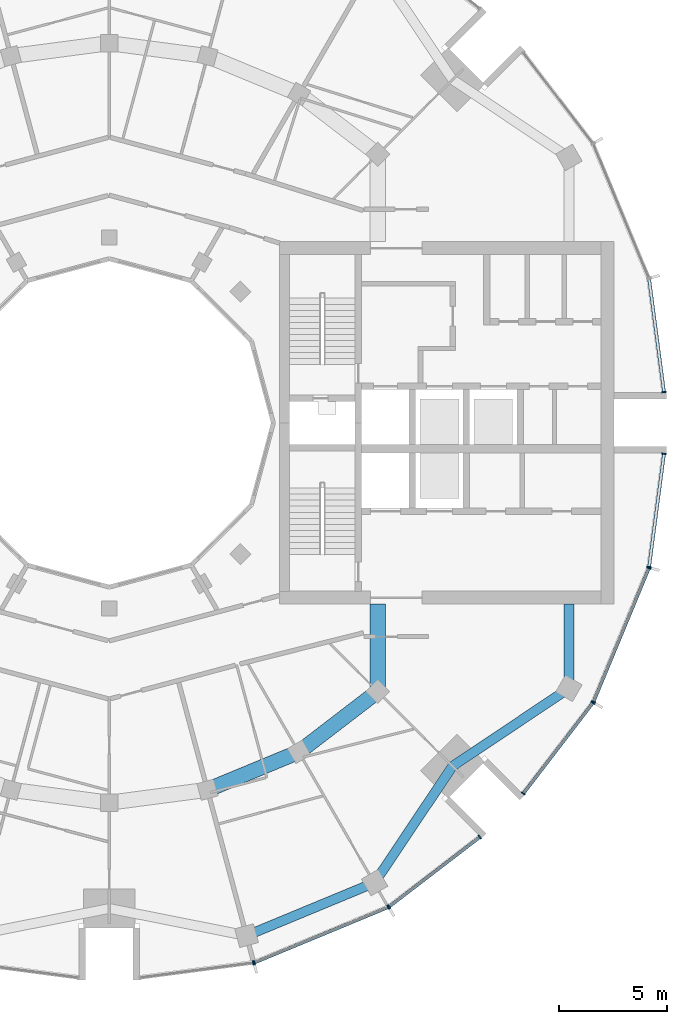
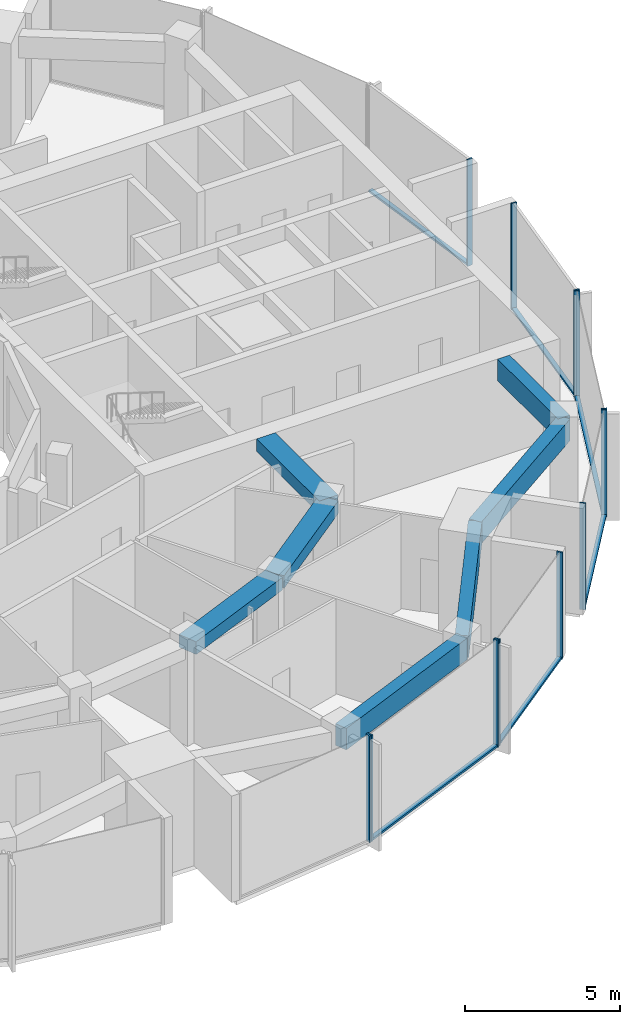
# One storey, part 4 of 15: 18 members, 7 beams, 7 elements without a shape of their own.
"""IFC4 building model written with IfcOpenShell, lengths in metres."""

import ifcopenshell
import ifcopenshell.guid

model = None  # the IFC model being written
_history = None  # IfcOwnerHistory: only IFC2X3 demands one
_inside = {}  # id of a spatial element -> (the spatial element, [elements in it])
_under = {}  # id of a project, library or spatial element -> (it, [spatial elements below it])
_declared = {}  # id of a project -> (the project, [libraries it declares])
_typed = {}  # id of a type object -> (the type object, [elements of that type])
_made_of = {}  # id of a material, layer set ... -> (it, [elements and type objects made of it])


def new_model(schema):
    """Start an empty IFC model of exactly this schema.

    Asked for "IFC4X3", IfcOpenShell would pick the latest addendum, in which some entities
    have other attributes; the version numbers below select the first issue.
    IFC2X3 requires an IfcOwnerHistory on every rooted entity: one is made here for all.
    """
    global model, _history
    if schema == "IFC4X3":
        model = ifcopenshell.file(schema_version=(4, 3, 0, 0))
    else:
        model = ifcopenshell.file(schema=schema)
    _inside.clear()
    _under.clear()
    _declared.clear()
    _typed.clear()
    _made_of.clear()
    _history = None
    if model.schema == "IFC2X3":
        org = make("IfcOrganization", Name="unknown")
        user = make(
            "IfcPersonAndOrganization",
            ThePerson=make("IfcPerson", FamilyName="unknown"),
            TheOrganization=org,
        )
        app = make(
            "IfcApplication",
            ApplicationDeveloper=org,
            Version="unknown",
            ApplicationFullName="unknown",
            ApplicationIdentifier="unknown",
        )
        _history = make(
            "IfcOwnerHistory",
            OwningUser=user,
            OwningApplication=app,
            ChangeAction="ADDED",
            CreationDate=0,
        )
    return model


def make(cls, **values):
    """One entity of the class cls with the attributes given. An attribute that is None is left unset."""
    return model.create_entity(
        cls, **{name: value for name, value in values.items() if value is not None}
    )


def rooted(cls, **values):
    """An entity with a GlobalId (a new one), such as an element, a storey or a relation."""
    return make(cls, GlobalId=ifcopenshell.guid.new(), OwnerHistory=_history, **values)


def si_unit(unit_type, name, prefix=None):
    """IfcSIUnit, for example si_unit("LENGTHUNIT", "METRE", prefix="MILLI")."""
    return make("IfcSIUnit", UnitType=unit_type, Prefix=prefix, Name=name)


def assignment(units):
    """IfcUnitAssignment: the units of a project."""
    return None if units is None else make("IfcUnitAssignment", Units=units)


def point(xyz):
    """IfcCartesianPoint."""
    return None if xyz is None else make("IfcCartesianPoint", Coordinates=xyz)


def direction(xyz):
    """IfcDirection."""
    return None if xyz is None else make("IfcDirection", DirectionRatios=xyz)


def frame(location, z_axis=None, x_axis=None):
    """IfcAxis2Placement3D, a coordinate frame: its origin and axes. An axis left out is left unset."""
    return make(
        "IfcAxis2Placement3D",
        Location=point(location),
        Axis=direction(z_axis),
        RefDirection=direction(x_axis),
    )


def frame_2d(location, x_axis=None):
    """IfcAxis2Placement2D, a coordinate frame in the plane: its origin and x axis."""
    return make(
        "IfcAxis2Placement2D", Location=point(location), RefDirection=direction(x_axis)
    )


def origin():
    """The frame at (0, 0, 0) with its axes left unset."""
    return frame((0.0, 0.0, 0.0))


def origin_2d():
    """The frame at (0, 0) in the plane with its x axis left unset."""
    return frame_2d((0.0, 0.0))


def place(relative_to, where):
    """IfcLocalPlacement: puts the frame where relative to a parent placement (None: the world)."""
    return make(
        "IfcLocalPlacement", PlacementRelTo=relative_to, RelativePlacement=where
    )


def context(
    kind, dimensions, precision=None, world=None, true_north=None, identifier=None
):
    """IfcGeometricRepresentationContext, for example the 3D "Model" context."""
    return make(
        "IfcGeometricRepresentationContext",
        ContextIdentifier=identifier,
        ContextType=kind,
        CoordinateSpaceDimension=dimensions,
        Precision=precision,
        WorldCoordinateSystem=world,
        TrueNorth=true_north,
    )


def subcontext(parent, identifier, kind, view, scale=None):
    """IfcGeometricRepresentationSubContext, for example "Body" below "Model"."""
    return make(
        "IfcGeometricRepresentationSubContext",
        ContextIdentifier=identifier,
        ContextType=kind,
        ParentContext=parent,
        TargetScale=scale,
        TargetView=view,
    )


def project(units=None, contexts=None):
    """IfcProject with its units and contexts."""
    return rooted(
        "IfcProject",
        Name="project",
        RepresentationContexts=contexts,
        UnitsInContext=assignment(units),
    )


def spatial(cls, under=None, at=None, **own):
    """A site, building, storey or space (cls), placed at a placement, below another one or the project."""
    s = rooted(cls, ObjectPlacement=at, **own)
    if under is not None:
        _under.setdefault(under.id(), (under, []))[1].append(s)
    return s


def profile(cls, at=None, kind="AREA", **sizes):
    """A parametric profile (cls). Its sizes go by their IFC names, for example OverallWidth=200.0."""
    return make(cls, ProfileType=kind, Position=at, **sizes)


def rectangle(**sizes):
    """IfcRectangleProfileDef."""
    return profile("IfcRectangleProfileDef", **sizes)


def extrude(swept, where, along, depth):
    """IfcExtrudedAreaSolid: the profile swept, set in the frame where, extruded along a direction by depth."""
    return make(
        "IfcExtrudedAreaSolid",
        SweptArea=swept,
        Position=where,
        ExtrudedDirection=direction(along),
        Depth=depth,
    )


def shape(context_of_items, identifier, shape_type, items):
    """IfcShapeRepresentation: the items that make up one representation, for example the "Body"."""
    return make(
        "IfcShapeRepresentation",
        ContextOfItems=context_of_items,
        RepresentationIdentifier=identifier,
        RepresentationType=shape_type,
        Items=items,
    )


def material(Name=None, Category=None):
    """IfcMaterial."""
    return make("IfcMaterial", Name=Name, Category=Category)


def layer(
    of_material, thickness, ventilated=None, Name=None, Category=None, Priority=None
):
    """IfcMaterialLayer: one layer of a wall or slab, of a material (None: an air gap)."""
    return make(
        "IfcMaterialLayer",
        Material=of_material,
        LayerThickness=thickness,
        IsVentilated=ventilated,
        Name=Name,
        Category=Category,
        Priority=Priority,
    )


def layer_set(layers, Name=None):
    """IfcMaterialLayerSet."""
    return make("IfcMaterialLayerSet", MaterialLayers=layers, LayerSetName=Name)


def material_profile(
    of_material, cross_section, Name=None, Category=None, Priority=None
):
    """IfcMaterialProfile: a cross section and its material."""
    return make(
        "IfcMaterialProfile",
        Name=Name,
        Material=of_material,
        Profile=cross_section,
        Priority=Priority,
        Category=Category,
    )


def profile_set(profiles, Name=None, composite=None):
    """IfcMaterialProfileSet."""
    return make(
        "IfcMaterialProfileSet",
        Name=Name,
        MaterialProfiles=profiles,
        CompositeProfile=composite,
    )


def made_of(thing, what):
    """Note that an element or type object is made of a material, layer set ...; save() writes the relation."""
    if what is not None:
        _made_of.setdefault(what.id(), (what, []))[1].append(thing)
    return thing


def type_object(cls, material=None, **own):
    """A type object (cls), such as IfcWallType, which elements share."""
    return made_of(rooted(cls, **own), material)


def element(
    cls,
    number,
    at=None,
    inside=None,
    cuts=None,
    type_object=None,
    material=None,
    context=None,
    identifier="Body",
    shape_type=None,
    held_by="IfcProductDefinitionShape",
    body=None,
    shapes=None,
    **own,
):
    """One element of the class cls, such as IfcWall. Its Tag is "e" and its number.

    at: its placement. inside: the storey or other place that contains it. cuts: it is an
    opening in that element (IfcRelVoidsElement). A single representation is given by context,
    identifier, shape_type and body (its items); several are given by shapes. held_by: the class
    of the entity that holds the representations. save() writes the other relations.
    """
    e = rooted(cls, Tag="e%d" % number, ObjectPlacement=at, **own)
    if body is not None:
        shapes = [shape(context, identifier, shape_type, body)]
    if shapes is not None:
        e.Representation = make(held_by, Representations=shapes)
    if inside is not None:
        _inside.setdefault(inside.id(), (inside, []))[1].append(e)
    if cuts is not None:
        rooted(
            "IfcRelVoidsElement", RelatingBuildingElement=cuts, RelatedOpeningElement=e
        )
    if type_object is not None:
        _typed.setdefault(type_object.id(), (type_object, []))[1].append(e)
    return made_of(e, material)


def aggregate(whole, parts):
    """IfcRelAggregates: a whole, such as a stair, and the parts it consists of."""
    return rooted("IfcRelAggregates", RelatingObject=whole, RelatedObjects=parts)


def save(model, path):
    """Write the relations noted so far, then the file.

    IfcRelAggregates (storeys below a building ...), IfcRelContainedInSpatialStructure (elements
    in a storey), IfcRelDefinesByType, IfcRelAssociatesMaterial and IfcRelDeclares: one each for
    every whole, place, type object, material and project.
    """
    for whole, parts in _under.values():
        aggregate(whole, parts)
    for where, things in _inside.values():
        rooted(
            "IfcRelContainedInSpatialStructure",
            RelatedElements=things,
            RelatingStructure=where,
        )
    for kind, things in _typed.values():
        rooted("IfcRelDefinesByType", RelatedObjects=things, RelatingType=kind)
    for what, things in _made_of.values():
        rooted("IfcRelAssociatesMaterial", RelatedObjects=things, RelatingMaterial=what)
    for by, libraries in _declared.values():
        rooted("IfcRelDeclares", RelatingContext=by, RelatedDefinitions=libraries)
    model.write(path)


model = new_model("IFC4")

# Units and contexts
model_context = context("Model", 3, precision=1e-05, world=origin(), true_north=direction((0.0, 1.0)))
body_context = subcontext(model_context, "Body", "Model", "MODEL_VIEW")
ifc_project = project(units=[si_unit("LENGTHUNIT", "METRE"), si_unit("AREAUNIT", "SQUARE_METRE"), si_unit("VOLUMEUNIT", "CUBIC_METRE"), si_unit("PLANEANGLEUNIT", "RADIAN"), si_unit("MASSUNIT", "GRAM", prefix="KILO")], contexts=[model_context])

# Site, building, storey
site_placement = place(None, origin())
site = spatial("IfcSite", under=ifc_project, at=site_placement, CompositionType="ELEMENT")
building_placement = place(site_placement, origin())
building = spatial("IfcBuilding", under=site, at=building_placement, Name="Torre Brocal", CompositionType="ELEMENT")
storey_placement = place(building_placement, frame((0.0, 0.0, 249.89990234375)))
storey = spatial("IfcBuildingStorey", under=building, at=storey_placement, Name="L57", CompositionType="ELEMENT", Elevation=249.89990234375)

# Curtain wall, member
ifc_material_1 = material(Name="Aluminium and glass", Category="aluminium")
ifc_layer_1 = layer(ifc_material_1, 0.199951171875)
ifc_layer_set_1 = layer_set([ifc_layer_1], Name="Aluminium and glass")
curtain_wall_type_1 = type_object("IfcCurtainWallType", Name="CW-1 CURTAIN WALL 4200 HIGH", PredefinedType="NOTDEFINED", material=ifc_layer_set_1)
curtain_wall_1_placement = place(storey_placement, origin())
curtain_wall_1 = element("IfcCurtainWall", 1, at=curtain_wall_1_placement, inside=storey, type_object=curtain_wall_type_1, Name="CW-1 RUN 19", PredefinedType="NOTDEFINED")
ifc_material_2 = material(Name="Aluminium, dark anodised", Category="aluminium")
ifc_material_profile_1 = material_profile(ifc_material_2, rectangle(XDim=0.199951171875, YDim=0.06005859375, at=origin_2d()), Name="CW-1 MULLION 60X200")
ifc_profile_set_1 = profile_set([ifc_material_profile_1], Name="Aluminium, dark anodised")
member_type_1 = type_object("IfcMemberType", Name="CW-1 MULLION 60X200", PredefinedType="MULLION", material=ifc_profile_set_1)
member_1_placement = place(storey_placement, frame((86.67333984375, 49.9794921875, 0.0), z_axis=(0.0, 0.0, 1.0), x_axis=(-0.13052619222, 0.991444861374, 0.0)))
member_1 = element("IfcMember", 2, at=member_1_placement, type_object=member_type_1, Name="CW1-5 mullion 2", PredefinedType="MULLION", context=body_context, shape_type="SweptSolid", body=[
    extrude(rectangle(XDim=0.199951171875, YDim=0.06005859375, at=origin_2d()), origin(), (0.0, 0.0, 1.0), 4.2001953125),
])
aggregate(curtain_wall_1, [member_1])

# Curtain wall, members
curtain_wall_2_placement = place(storey_placement, origin())
curtain_wall_2 = element("IfcCurtainWall", 3, at=curtain_wall_2_placement, inside=storey, type_object=curtain_wall_type_1, Name="CW-1 RUN 20", PredefinedType="NOTDEFINED")
member_2_placement = place(storey_placement, frame((86.73095703125, 49.994873046875, 0.0), z_axis=(0.0, 0.0, 1.0), x_axis=(-0.382683432333, 0.923879532525, 0.0)))
member_2 = element("IfcMember", 4, at=member_2_placement, type_object=member_type_1, Name="CW1-5 mullion 1", PredefinedType="MULLION", context=body_context, shape_type="SweptSolid", body=[
    extrude(rectangle(XDim=0.199951171875, YDim=0.06005859375, at=origin_2d()), origin(), (0.0, 0.0, 1.0), 4.2001953125),
])
member_3_placement = place(storey_placement, frame((92.921875, 52.559326171875, 0.0), z_axis=(0.0, 0.0, 1.0), x_axis=(-0.382683432333, 0.923879532525, 0.0)))
member_3 = element("IfcMember", 5, at=member_3_placement, type_object=member_type_1, Name="CW1-5 mullion 2", PredefinedType="MULLION", context=body_context, shape_type="SweptSolid", body=[
    extrude(rectangle(XDim=0.199951171875, YDim=0.06005859375, at=origin_2d()), origin(), (0.0, 0.0, 1.0), 4.2001953125),
])

curtain_wall_3_placement = place(storey_placement, origin())
curtain_wall_3 = element("IfcCurtainWall", 6, at=curtain_wall_3_placement, inside=storey, type_object=curtain_wall_type_1, Name="CW-1 RUN 21", PredefinedType="NOTDEFINED")
member_4_placement = place(storey_placement, frame((92.973388671875, 52.5888671875, 0.0), z_axis=(0.0, 0.0, 1.0), x_axis=(-0.60876142905, 0.793353340259, 0.0)))
member_4 = element("IfcMember", 7, at=member_4_placement, type_object=member_type_1, Name="CW1-5 mullion 1", PredefinedType="MULLION", context=body_context, shape_type="SweptSolid", body=[
    extrude(rectangle(XDim=0.199951171875, YDim=0.06005859375, at=origin_2d()), origin(), (0.0, 0.0, 1.0), 4.2001953125),
])
member_5_placement = place(storey_placement, frame((97.16943359375, 55.80859375, 0.0), z_axis=(0.0, 0.0, 1.0), x_axis=(-0.60876142905, 0.793353340259, 0.0)))
member_5 = element("IfcMember", 8, at=member_5_placement, type_object=member_type_1, Name="CW1-5 mullion 2", PredefinedType="MULLION", context=body_context, shape_type="SweptSolid", body=[
    extrude(rectangle(XDim=0.199951171875, YDim=0.06005859375, at=origin_2d()), origin(), (0.0, 0.0, 1.0), 4.2001953125),
])

curtain_wall_4_placement = place(storey_placement, origin())
curtain_wall_4 = element("IfcCurtainWall", 9, at=curtain_wall_4_placement, inside=storey, type_object=curtain_wall_type_1, Name="CW-1 RUN 22", PredefinedType="NOTDEFINED")
member_6_placement = place(storey_placement, frame((99.19140625, 57.83056640625, 0.0), z_axis=(0.0, 0.0, 1.0), x_axis=(-0.793353340259, 0.60876142905, 0.0)))
member_6 = element("IfcMember", 10, at=member_6_placement, type_object=member_type_1, Name="CW1-5 mullion 1", PredefinedType="MULLION", context=body_context, shape_type="SweptSolid", body=[
    extrude(rectangle(XDim=0.199951171875, YDim=0.06005859375, at=origin_2d()), origin(), (0.0, 0.0, 1.0), 4.2001953125),
])
member_7_placement = place(storey_placement, frame((102.4111328125, 62.026611328125, 0.0), z_axis=(0.0, 0.0, 1.0), x_axis=(-0.793353340259, 0.60876142905, 0.0)))
member_7 = element("IfcMember", 11, at=member_7_placement, type_object=member_type_1, Name="CW1-5 mullion 2", PredefinedType="MULLION", context=body_context, shape_type="SweptSolid", body=[
    extrude(rectangle(XDim=0.199951171875, YDim=0.06005859375, at=origin_2d()), origin(), (0.0, 0.0, 1.0), 4.2001953125),
])

curtain_wall_5_placement = place(storey_placement, origin())
curtain_wall_5 = element("IfcCurtainWall", 12, at=curtain_wall_5_placement, inside=storey, type_object=curtain_wall_type_1, Name="CW-1 RUN 23", PredefinedType="NOTDEFINED")
member_8_placement = place(storey_placement, frame((102.440673828125, 62.078125, 0.0), z_axis=(0.0, 0.0, 1.0), x_axis=(-0.923879532525, 0.382683432333, 0.0)))
member_8 = element("IfcMember", 13, at=member_8_placement, type_object=member_type_1, Name="CW1-5 mullion 1", PredefinedType="MULLION", context=body_context, shape_type="SweptSolid", body=[
    extrude(rectangle(XDim=0.199951171875, YDim=0.06005859375, at=origin_2d()), origin(), (0.0, 0.0, 1.0), 4.2001953125),
])
member_9_placement = place(storey_placement, frame((105.005126953125, 68.26904296875, 0.0), z_axis=(0.0, 0.0, 1.0), x_axis=(-0.923879532525, 0.382683432333, 0.0)))
member_9 = element("IfcMember", 14, at=member_9_placement, type_object=member_type_1, Name="CW1-5 mullion 2", PredefinedType="MULLION", context=body_context, shape_type="SweptSolid", body=[
    extrude(rectangle(XDim=0.199951171875, YDim=0.06005859375, at=origin_2d()), origin(), (0.0, 0.0, 1.0), 4.2001953125),
])

# Member
ifc_material_3 = material(Name="Aluminium, dark anodised", Category="aluminium")
ifc_material_profile_2 = material_profile(ifc_material_3, rectangle(XDim=0.159912109375, YDim=0.080078125, at=origin_2d()), Name="CW-1 TRANSOM 160X80")
ifc_profile_set_2 = profile_set([ifc_material_profile_2], Name="Aluminium, dark anodised")
member_type_2 = type_object("IfcMemberType", Name="CW-1 TRANSOM 160X80", PredefinedType="USERDEFINED", material=ifc_profile_set_2)
member_10_placement = place(storey_placement, frame((86.758544921875, 50.00634765625, 0.0400390625), z_axis=(0.923887344364, 0.38266457234, 0.0), x_axis=(-0.38266457234, 0.923887344364, 0.0)))
member_10 = element("IfcMember", 15, at=member_10_placement, type_object=member_type_2, Name="CW1-5 transom 1.1", ObjectType="TRANSOM", PredefinedType="USERDEFINED", context=body_context, shape_type="SweptSolid", body=[
    extrude(rectangle(XDim=0.159912109375, YDim=0.080078125, at=origin_2d()), origin(), (0.0, 0.0, 1.0), 6.640869140625),
])

aggregate(curtain_wall_2, [member_2, member_3, member_10])

member_11_placement = place(storey_placement, frame((92.9970703125, 52.607177734375, 0.0400390625), z_axis=(0.79336281513, 0.60874908096, 0.0), x_axis=(-0.60874908096, 0.79336281513, 0.0)))
member_11 = element("IfcMember", 16, at=member_11_placement, type_object=member_type_2, Name="CW1-5 transom 1.1", ObjectType="TRANSOM", PredefinedType="USERDEFINED", context=body_context, shape_type="SweptSolid", body=[
    extrude(rectangle(XDim=0.159912109375, YDim=0.080078125, at=origin_2d()), origin(), (0.0, 0.0, 1.0), 5.22900390625),
])

aggregate(curtain_wall_3, [member_4, member_5, member_11])

member_12_placement = place(storey_placement, frame((99.209716796875, 57.8544921875, 0.0400390625), z_axis=(0.60874908096, 0.79336281513, 0.0), x_axis=(-0.79336281513, 0.60874908096, 0.0)))
member_12 = element("IfcMember", 17, at=member_12_placement, type_object=member_type_2, Name="CW1-5 transom 1.1", ObjectType="TRANSOM", PredefinedType="USERDEFINED", context=body_context, shape_type="SweptSolid", body=[
    extrude(rectangle(XDim=0.159912109375, YDim=0.080078125, at=origin_2d()), origin(), (0.0, 0.0, 1.0), 5.22900390625),
])

aggregate(curtain_wall_4, [member_6, member_7, member_12])

member_13_placement = place(storey_placement, frame((102.452392578125, 62.10595703125, 0.0400390625), z_axis=(0.38266457234, 0.923887344364, 0.0), x_axis=(-0.923887344364, 0.38266457234, 0.0)))
member_13 = element("IfcMember", 18, at=member_13_placement, type_object=member_type_2, Name="CW1-5 transom 1.1", ObjectType="TRANSOM", PredefinedType="USERDEFINED", context=body_context, shape_type="SweptSolid", body=[
    extrude(rectangle(XDim=0.159912109375, YDim=0.080078125, at=origin_2d()), origin(), (0.0, 0.0, 1.0), 6.640869140625),
])

aggregate(curtain_wall_5, [member_8, member_9, member_13])

# Curtain wall, member
ifc_material_4 = material(Name="Aluminium and glass", Category="aluminium")
ifc_layer_2 = layer(ifc_material_4, 0.199951171875)
ifc_layer_set_2 = layer_set([ifc_layer_2], Name="Aluminium and glass")
curtain_wall_type_2 = type_object("IfcCurtainWallType", Name="CW-1B CURTAIN WALL 4200 HIGH", PredefinedType="NOTDEFINED", material=ifc_layer_set_2)
curtain_wall_6_placement = place(storey_placement, origin())
curtain_wall_6 = element("IfcCurtainWall", 19, at=curtain_wall_6_placement, inside=storey, type_object=curtain_wall_type_2, Name="CW-1B RUN 1", PredefinedType="NOTDEFINED")
ifc_material_5 = material(Name="Aluminium, dark anodised", Category="aluminium")
ifc_material_profile_3 = material_profile(ifc_material_5, rectangle(XDim=0.199951171875, YDim=0.06005859375, at=origin_2d()), Name="CW-1B MULLION 60X200")
ifc_profile_set_3 = profile_set([ifc_material_profile_3], Name="Aluminium, dark anodised")
member_type_3 = type_object("IfcMemberType", Name="CW-1B MULLION 60X200", PredefinedType="MULLION", material=ifc_profile_set_3)
member_14_placement = place(storey_placement, frame((105.7109375, 76.4296875, 0.0), z_axis=(0.0, 0.0, 1.0), x_axis=(-0.991444861374, -0.13052619222, 0.0)))
member_14 = element("IfcMember", 20, at=member_14_placement, type_object=member_type_3, Name="CW1B-5 mullion 1", PredefinedType="MULLION", context=body_context, shape_type="SweptSolid", body=[
    extrude(rectangle(XDim=0.199951171875, YDim=0.06005859375, at=origin_2d()), origin(), (0.0, 0.0, 1.0), 4.2001953125),
])

# Curtain wall, members
curtain_wall_7_placement = place(storey_placement, origin())
curtain_wall_7 = element("IfcCurtainWall", 21, at=curtain_wall_7_placement, inside=storey, type_object=curtain_wall_type_2, Name="CW-1B RUN 24", PredefinedType="NOTDEFINED")
member_15_placement = place(storey_placement, frame((105.0205078125, 68.32666015625, 0.0), z_axis=(0.0, 0.0, 1.0), x_axis=(-0.991444861374, 0.13052619222, 0.0)))
member_15 = element("IfcMember", 22, at=member_15_placement, type_object=member_type_3, Name="CW1B-5 mullion 1", PredefinedType="MULLION", context=body_context, shape_type="SweptSolid", body=[
    extrude(rectangle(XDim=0.199951171875, YDim=0.06005859375, at=origin_2d()), origin(), (0.0, 0.0, 1.0), 4.2001953125),
])
member_16_placement = place(storey_placement, frame((105.7109375, 73.5703125, 0.0), z_axis=(0.0, 0.0, 1.0), x_axis=(-0.991444861374, 0.13052619222, 0.0)))
member_16 = element("IfcMember", 23, at=member_16_placement, type_object=member_type_3, Name="CW1B-5 mullion 2", PredefinedType="MULLION", context=body_context, shape_type="SweptSolid", body=[
    extrude(rectangle(XDim=0.199951171875, YDim=0.06005859375, at=origin_2d()), origin(), (0.0, 0.0, 1.0), 4.2001953125),
])

# Member
ifc_material_6 = material(Name="Aluminium, dark anodised", Category="aluminium")
ifc_material_profile_4 = material_profile(ifc_material_6, rectangle(XDim=0.159912109375, YDim=0.080078125, at=origin_2d()), Name="CW-1B TRANSOM 160X80")
ifc_profile_set_4 = profile_set([ifc_material_profile_4], Name="Aluminium, dark anodised")
member_type_4 = type_object("IfcMemberType", Name="CW-1B TRANSOM 160X80", PredefinedType="USERDEFINED", material=ifc_profile_set_4)
member_17_placement = place(storey_placement, frame((105.70703125, 76.45947265625, 0.0400390625), z_axis=(-0.130542677827, 0.991442690863, 0.0), x_axis=(-0.991442690863, -0.130542677827, 0.0)))
member_17 = element("IfcMember", 24, at=member_17_placement, type_object=member_type_4, Name="CW1B-5 transom 1.1", ObjectType="TRANSOM", PredefinedType="USERDEFINED", context=body_context, shape_type="SweptSolid", body=[
    extrude(rectangle(XDim=0.159912109375, YDim=0.080078125, at=origin_2d()), origin(), (0.0, 0.0, 1.0), 5.22900390625),
])

aggregate(curtain_wall_6, [member_14, member_17])

member_18_placement = place(storey_placement, frame((105.0244140625, 68.356201171875, 0.0400390625), z_axis=(0.130542677827, 0.991442690863, 0.0), x_axis=(-0.991442690863, 0.130542677827, 0.0)))
member_18 = element("IfcMember", 25, at=member_18_placement, type_object=member_type_4, Name="CW1B-5 transom 1.1", ObjectType="TRANSOM", PredefinedType="USERDEFINED", context=body_context, shape_type="SweptSolid", body=[
    extrude(rectangle(XDim=0.159912109375, YDim=0.080078125, at=origin_2d()), origin(), (0.0, 0.0, 1.0), 5.22900390625),
])

aggregate(curtain_wall_7, [member_15, member_16, member_18])

# Beams
ifc_material_7 = material(Name="Concrete C50", Category="concrete")
ifc_material_profile_5 = material_profile(ifc_material_7, rectangle(XDim=0.699951171875, YDim=0.5, at=origin_2d()), Name="RC 700X500")
ifc_profile_set_5 = profile_set([ifc_material_profile_5], Name="Concrete C50")
beam_type_1 = type_object("IfcBeamType", Name="RC BEAM 700X500 C50 TOP 3880", PredefinedType="BEAM", material=ifc_profile_set_5)
beam_1_placement = place(storey_placement, frame((84.55517578125, 57.999755859375, 3.630126953125), z_axis=(0.923878240166, 0.382686552348, 0.0), x_axis=(-0.382686552348, 0.923878240166, 0.0)))
element("IfcBeam", 26, at=beam_1_placement, inside=storey, type_object=beam_type_1, Name="Beam BT-37", PredefinedType="BEAM", context=body_context, shape_type="SweptSolid", body=[
    extrude(rectangle(XDim=0.699951171875, YDim=0.5, at=origin_2d()), origin(), (0.0, 0.0, 1.0), 4.5947265625),
])
beam_2_placement = place(storey_placement, frame((88.800048828125, 59.758056640625, 3.630126953125), z_axis=(0.793358265959, 0.6087550097, 0.0), x_axis=(-0.6087550097, 0.793358265959, 0.0)))
element("IfcBeam", 27, at=beam_2_placement, inside=storey, type_object=beam_type_1, Name="Beam BT-37", PredefinedType="BEAM", context=body_context, shape_type="SweptSolid", body=[
    extrude(rectangle(XDim=0.699951171875, YDim=0.5, at=origin_2d()), origin(), (0.0, 0.0, 1.0), 4.594482421875),
])
beam_3_placement = place(storey_placement, frame((92.445068359375, 62.554931640625, 3.630126953125), z_axis=(0.0, 1.0, 0.0), x_axis=(-1.0, 0.0, 0.0)))
element("IfcBeam", 28, at=beam_3_placement, inside=storey, type_object=beam_type_1, Name="Beam BT-37", PredefinedType="BEAM", context=body_context, shape_type="SweptSolid", body=[
    extrude(rectangle(XDim=0.699951171875, YDim=0.5, at=origin_2d()), origin(), (0.0, 0.0, 1.0), 4.045166015625),
])
ifc_material_8 = material(Name="Concrete C50", Category="concrete")
ifc_material_profile_6 = material_profile(ifc_material_8, rectangle(XDim=0.449951171875, YDim=0.85009765625, at=origin_2d()), Name="RC 450X850")
ifc_profile_set_6 = profile_set([ifc_material_profile_6], Name="Concrete C50")
beam_type_2 = type_object("IfcBeamType", Name="RC SPANDREL BEAM 450X850 C50 TOP 3880", PredefinedType="SPANDREL", material=ifc_profile_set_6)
beam_4_placement = place(storey_placement, frame((86.366943359375, 51.23828125, 3.455078125), z_axis=(0.923882462513, 0.382676358639, 0.0), x_axis=(-0.382676358639, 0.923882462513, 0.0)))
element("IfcBeam", 29, at=beam_4_placement, inside=storey, type_object=beam_type_2, Name="Beam BT-38", PredefinedType="SPANDREL", context=body_context, shape_type="SweptSolid", body=[
    extrude(rectangle(XDim=0.449951171875, YDim=0.85009765625, at=origin_2d()), origin(), (0.0, 0.0, 1.0), 6.421875),
])
for number, where, z_axis, x_axis, name in (
    (30, (92.300048828125, 53.69580078125, 3.455078125), (0.556157602282, 0.831076844476, 0.0), (-0.831076844476, 0.556157602282, 0.0), "Beam BT-38"),
    (31, (95.909912109375, 59.090087890625, 3.455078125), (0.831076844476, 0.556157602282, 0.0), (-0.556157602282, 0.831076844476, 0.0), "Beam BT-38"),
):
    element("IfcBeam", number, at=place(storey_placement, frame(where, z_axis=z_axis, x_axis=x_axis)), inside=storey, type_object=beam_type_2, Name=name, PredefinedType="SPANDREL", context=body_context, shape_type="SweptSolid", body=[
        extrude(rectangle(XDim=0.449951171875, YDim=0.85009765625, at=origin_2d()), origin(), (0.0, 0.0, 1.0), 6.49072265625),
    ])
beam_5_placement = place(storey_placement, frame((101.30419921875, 62.699951171875, 3.455078125), z_axis=(0.0, 1.0, 0.0), x_axis=(-1.0, 0.0, 0.0)))
element("IfcBeam", 32, at=beam_5_placement, inside=storey, type_object=beam_type_2, Name="Beam BT-38", PredefinedType="SPANDREL", context=body_context, shape_type="SweptSolid", body=[
    extrude(rectangle(XDim=0.449951171875, YDim=0.85009765625, at=origin_2d()), origin(), (0.0, 0.0, 1.0), 3.900146484375),
])

save(model, "model.ifc")
